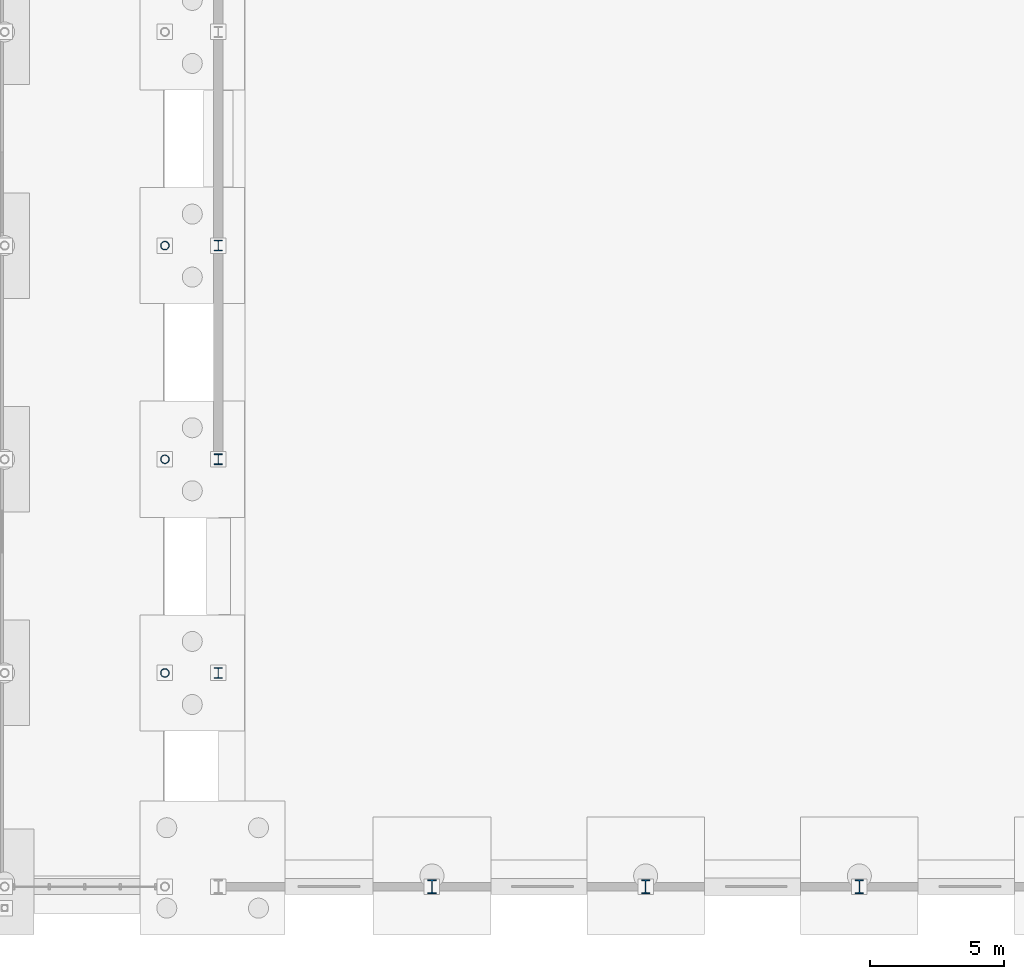
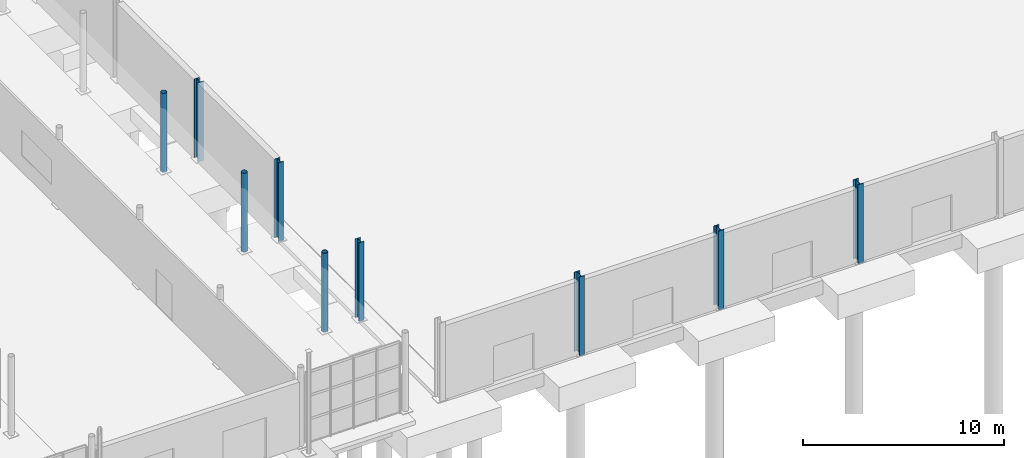
# One storey, part 13 of 101: 9 columns.
"""IFC4 building model written with IfcOpenShell, lengths in metres."""

import ifcopenshell
import ifcopenshell.guid

model = None  # the IFC model being written
_history = None  # IfcOwnerHistory: only IFC2X3 demands one
_inside = {}  # id of a spatial element -> (the spatial element, [elements in it])
_under = {}  # id of a project, library or spatial element -> (it, [spatial elements below it])
_declared = {}  # id of a project -> (the project, [libraries it declares])
_typed = {}  # id of a type object -> (the type object, [elements of that type])
_made_of = {}  # id of a material, layer set ... -> (it, [elements and type objects made of it])


def new_model(schema):
    """Start an empty IFC model of exactly this schema.

    Asked for "IFC4X3", IfcOpenShell would pick the latest addendum, in which some entities
    have other attributes; the version numbers below select the first issue.
    IFC2X3 requires an IfcOwnerHistory on every rooted entity: one is made here for all.
    """
    global model, _history
    if schema == "IFC4X3":
        model = ifcopenshell.file(schema_version=(4, 3, 0, 0))
    else:
        model = ifcopenshell.file(schema=schema)
    _inside.clear()
    _under.clear()
    _declared.clear()
    _typed.clear()
    _made_of.clear()
    _history = None
    if model.schema == "IFC2X3":
        org = make("IfcOrganization", Name="unknown")
        user = make(
            "IfcPersonAndOrganization",
            ThePerson=make("IfcPerson", FamilyName="unknown"),
            TheOrganization=org,
        )
        app = make(
            "IfcApplication",
            ApplicationDeveloper=org,
            Version="unknown",
            ApplicationFullName="unknown",
            ApplicationIdentifier="unknown",
        )
        _history = make(
            "IfcOwnerHistory",
            OwningUser=user,
            OwningApplication=app,
            ChangeAction="ADDED",
            CreationDate=0,
        )
    return model


def make(cls, **values):
    """One entity of the class cls with the attributes given. An attribute that is None is left unset."""
    return model.create_entity(
        cls, **{name: value for name, value in values.items() if value is not None}
    )


def rooted(cls, **values):
    """An entity with a GlobalId (a new one), such as an element, a storey or a relation."""
    return make(cls, GlobalId=ifcopenshell.guid.new(), OwnerHistory=_history, **values)


def si_unit(unit_type, name, prefix=None):
    """IfcSIUnit, for example si_unit("LENGTHUNIT", "METRE", prefix="MILLI")."""
    return make("IfcSIUnit", UnitType=unit_type, Prefix=prefix, Name=name)


def derived_unit(unit_type, elements):
    """IfcDerivedUnit: a product of units, each with its exponent."""
    return make(
        "IfcDerivedUnit",
        Elements=[
            make("IfcDerivedUnitElement", Unit=unit, Exponent=power)
            for unit, power in elements
        ],
        UnitType=unit_type,
    )


def assignment(units):
    """IfcUnitAssignment: the units of a project."""
    return None if units is None else make("IfcUnitAssignment", Units=units)


def point(xyz):
    """IfcCartesianPoint."""
    return None if xyz is None else make("IfcCartesianPoint", Coordinates=xyz)


def direction(xyz):
    """IfcDirection."""
    return None if xyz is None else make("IfcDirection", DirectionRatios=xyz)


def frame(location, z_axis=None, x_axis=None):
    """IfcAxis2Placement3D, a coordinate frame: its origin and axes. An axis left out is left unset."""
    return make(
        "IfcAxis2Placement3D",
        Location=point(location),
        Axis=direction(z_axis),
        RefDirection=direction(x_axis),
    )


def frame_2d(location, x_axis=None):
    """IfcAxis2Placement2D, a coordinate frame in the plane: its origin and x axis."""
    return make(
        "IfcAxis2Placement2D", Location=point(location), RefDirection=direction(x_axis)
    )


def origin():
    """The frame at (0, 0, 0) with its axes left unset."""
    return frame((0.0, 0.0, 0.0))


def origin_2d():
    """The frame at (0, 0) in the plane with its x axis left unset."""
    return frame_2d((0.0, 0.0))


def place(relative_to, where):
    """IfcLocalPlacement: puts the frame where relative to a parent placement (None: the world)."""
    return make(
        "IfcLocalPlacement", PlacementRelTo=relative_to, RelativePlacement=where
    )


def context(
    kind, dimensions, precision=None, world=None, true_north=None, identifier=None
):
    """IfcGeometricRepresentationContext, for example the 3D "Model" context."""
    return make(
        "IfcGeometricRepresentationContext",
        ContextIdentifier=identifier,
        ContextType=kind,
        CoordinateSpaceDimension=dimensions,
        Precision=precision,
        WorldCoordinateSystem=world,
        TrueNorth=true_north,
    )


def subcontext(parent, identifier, kind, view, scale=None):
    """IfcGeometricRepresentationSubContext, for example "Body" below "Model"."""
    return make(
        "IfcGeometricRepresentationSubContext",
        ContextIdentifier=identifier,
        ContextType=kind,
        ParentContext=parent,
        TargetScale=scale,
        TargetView=view,
    )


def project(units=None, contexts=None):
    """IfcProject with its units and contexts."""
    return rooted(
        "IfcProject",
        Name="project",
        RepresentationContexts=contexts,
        UnitsInContext=assignment(units),
    )


def spatial(cls, under=None, at=None, **own):
    """A site, building, storey or space (cls), placed at a placement, below another one or the project."""
    s = rooted(cls, ObjectPlacement=at, **own)
    if under is not None:
        _under.setdefault(under.id(), (under, []))[1].append(s)
    return s


def profile(cls, at=None, kind="AREA", **sizes):
    """A parametric profile (cls). Its sizes go by their IFC names, for example OverallWidth=200.0."""
    return make(cls, ProfileType=kind, Position=at, **sizes)


def hollow_circle(**sizes):
    """IfcCircleHollowProfileDef."""
    return profile("IfcCircleHollowProfileDef", **sizes)


def i_section(**sizes):
    """IfcIShapeProfileDef."""
    return profile("IfcIShapeProfileDef", **sizes)


def extrude(swept, where, along, depth):
    """IfcExtrudedAreaSolid: the profile swept, set in the frame where, extruded along a direction by depth."""
    return make(
        "IfcExtrudedAreaSolid",
        SweptArea=swept,
        Position=where,
        ExtrudedDirection=direction(along),
        Depth=depth,
    )


def shape(context_of_items, identifier, shape_type, items):
    """IfcShapeRepresentation: the items that make up one representation, for example the "Body"."""
    return make(
        "IfcShapeRepresentation",
        ContextOfItems=context_of_items,
        RepresentationIdentifier=identifier,
        RepresentationType=shape_type,
        Items=items,
    )


def material(Name=None, Category=None):
    """IfcMaterial."""
    return make("IfcMaterial", Name=Name, Category=Category)


def material_profile(
    of_material, cross_section, Name=None, Category=None, Priority=None
):
    """IfcMaterialProfile: a cross section and its material."""
    return make(
        "IfcMaterialProfile",
        Name=Name,
        Material=of_material,
        Profile=cross_section,
        Priority=Priority,
        Category=Category,
    )


def profile_set(profiles, Name=None, composite=None):
    """IfcMaterialProfileSet."""
    return make(
        "IfcMaterialProfileSet",
        Name=Name,
        MaterialProfiles=profiles,
        CompositeProfile=composite,
    )


def made_of(thing, what):
    """Note that an element or type object is made of a material, layer set ...; save() writes the relation."""
    if what is not None:
        _made_of.setdefault(what.id(), (what, []))[1].append(thing)
    return thing


def type_object(cls, material=None, **own):
    """A type object (cls), such as IfcWallType, which elements share."""
    return made_of(rooted(cls, **own), material)


def element(
    cls,
    number,
    at=None,
    inside=None,
    cuts=None,
    type_object=None,
    material=None,
    context=None,
    identifier="Body",
    shape_type=None,
    held_by="IfcProductDefinitionShape",
    body=None,
    shapes=None,
    **own,
):
    """One element of the class cls, such as IfcWall. Its Tag is "e" and its number.

    at: its placement. inside: the storey or other place that contains it. cuts: it is an
    opening in that element (IfcRelVoidsElement). A single representation is given by context,
    identifier, shape_type and body (its items); several are given by shapes. held_by: the class
    of the entity that holds the representations. save() writes the other relations.
    """
    e = rooted(cls, Tag="e%d" % number, ObjectPlacement=at, **own)
    if body is not None:
        shapes = [shape(context, identifier, shape_type, body)]
    if shapes is not None:
        e.Representation = make(held_by, Representations=shapes)
    if inside is not None:
        _inside.setdefault(inside.id(), (inside, []))[1].append(e)
    if cuts is not None:
        rooted(
            "IfcRelVoidsElement", RelatingBuildingElement=cuts, RelatedOpeningElement=e
        )
    if type_object is not None:
        _typed.setdefault(type_object.id(), (type_object, []))[1].append(e)
    return made_of(e, material)


def aggregate(whole, parts):
    """IfcRelAggregates: a whole, such as a stair, and the parts it consists of."""
    return rooted("IfcRelAggregates", RelatingObject=whole, RelatedObjects=parts)


def save(model, path):
    """Write the relations noted so far, then the file.

    IfcRelAggregates (storeys below a building ...), IfcRelContainedInSpatialStructure (elements
    in a storey), IfcRelDefinesByType, IfcRelAssociatesMaterial and IfcRelDeclares: one each for
    every whole, place, type object, material and project.
    """
    for whole, parts in _under.values():
        aggregate(whole, parts)
    for where, things in _inside.values():
        rooted(
            "IfcRelContainedInSpatialStructure",
            RelatedElements=things,
            RelatingStructure=where,
        )
    for kind, things in _typed.values():
        rooted("IfcRelDefinesByType", RelatedObjects=things, RelatingType=kind)
    for what, things in _made_of.values():
        rooted("IfcRelAssociatesMaterial", RelatedObjects=things, RelatingMaterial=what)
    for by, libraries in _declared.values():
        rooted("IfcRelDeclares", RelatingContext=by, RelatedDefinitions=libraries)
    model.write(path)


model = new_model("IFC4")

# Units and contexts
model_context = context("Model", 3, precision=1e-05, world=origin(), true_north=direction((0.0, 1.0)))
body_context = subcontext(model_context, "Body", "Model", "MODEL_VIEW")
ifc_project = project(units=[si_unit("LENGTHUNIT", "METRE"), si_unit("AREAUNIT", "SQUARE_METRE"), si_unit("VOLUMEUNIT", "CUBIC_METRE"), si_unit("PLANEANGLEUNIT", "RADIAN"), si_unit("MASSUNIT", "GRAM", prefix="KILO"), derived_unit("THERMALTRANSMITTANCEUNIT", [(si_unit("POWERUNIT", "WATT"), 1), (si_unit("LENGTHUNIT", "METRE"), -2), (si_unit("THERMODYNAMICTEMPERATUREUNIT", "KELVIN"), -1)])], contexts=[model_context])

# Site, building, storey
site_placement = place(None, origin())
site = spatial("IfcSite", under=ifc_project, at=site_placement, CompositionType="ELEMENT")
building_placement = place(site_placement, origin())
building = spatial("IfcBuilding", under=site, at=building_placement, Name="Keldorne Ridge Multi-Sports Centre", CompositionType="ELEMENT")
storey_placement = place(building_placement, origin())
storey = spatial("IfcBuildingStorey", under=building, at=storey_placement, Name="L00", CompositionType="ELEMENT", Elevation=0.0)

# Columns
ifc_material = material(Name="Steel S355", Category="steel")
ifc_material_profile_1 = material_profile(ifc_material, i_section(OverallWidth=0.305908203125, OverallDepth=0.52392578125, WebThickness=0.02099609375, FlangeThickness=0.0400390625, FilletRadius=0.027099609375, at=origin_2d()), Name="HEM 500")
ifc_profile_set_1 = profile_set([ifc_material_profile_1], Name="Steel S355")
column_type_1 = type_object("IfcColumnType", Name="COL-C-04", PredefinedType="COLUMN", material=ifc_profile_set_1)
for number, where, z_axis, x_axis, name in (
    (1, (112.0, 6.0, 0.0), (0.0, 0.0, 1.0), (1.0, 0.0, 0.0), "Structural column V2-TRUSS-S-02 on L00"),
    (2, (120.0, 6.0, 0.0), (0.0, 0.0, 1.0), (1.0, 0.0, 0.0), "Structural column V2-TRUSS-S-03 on L00"),
    (3, (128.0, 6.0, 0.0), (0.0, 0.0, 1.0), (1.0, 0.0, 0.0), "Structural column V2-TRUSS-S-04 on L00"),
):
    element("IfcColumn", number, at=place(storey_placement, frame(where, z_axis=z_axis, x_axis=x_axis)), inside=storey, type_object=column_type_1, Name=name, PredefinedType="COLUMN", context=body_context, shape_type="SweptSolid", body=[
        extrude(i_section(OverallWidth=0.305908203125, OverallDepth=0.52392578125, WebThickness=0.02099609375, FlangeThickness=0.0400390625, FilletRadius=0.027099609375, at=origin_2d()), origin(), (0.0, 0.0, 1.0), 4.800048828125),
    ])
ifc_material_profile_2 = material_profile(ifc_material, hollow_circle(Radius=0.161865234375, WallThickness=0.01611328125, at=origin_2d()), Name="CHS 323.9x16")
ifc_profile_set_2 = profile_set([ifc_material_profile_2], Name="Steel S355")
column_type_2 = type_object("IfcColumnType", Name="COL-C-08", PredefinedType="COLUMN", material=ifc_profile_set_2)
for number, where, z_axis, x_axis, name in (
    (4, (102.0, 14.0, 0.0), (0.0, 0.0, 1.0), (1.0, 0.0, 0.0), "Structural column V4-G15-02 on L00"),
    (5, (102.0, 22.0, 0.0), (0.0, 0.0, 1.0), (1.0, 0.0, 0.0), "Structural column V4-G15-03 on L00"),
    (6, (102.0, 30.0, 0.0), (0.0, 0.0, 1.0), (1.0, 0.0, 0.0), "Structural column V4-G15-04 on L00"),
):
    element("IfcColumn", number, at=place(storey_placement, frame(where, z_axis=z_axis, x_axis=x_axis)), inside=storey, type_object=column_type_2, Name=name, PredefinedType="COLUMN", context=body_context, shape_type="SweptSolid", body=[
        extrude(hollow_circle(Radius=0.161865234375, WallThickness=0.01611328125, at=origin_2d()), origin(), (0.0, 0.0, 1.0), 4.800048828125),
    ])
ifc_material_profile_3 = material_profile(ifc_material, i_section(OverallWidth=0.300048828125, OverallDepth=0.39990234375, WebThickness=0.013427734375, FlangeThickness=0.02392578125, FilletRadius=0.027099609375, at=origin_2d()), Name="HEB 400")
ifc_profile_set_3 = profile_set([ifc_material_profile_3], Name="Steel S355")
column_type_3 = type_object("IfcColumnType", Name="COL-C-09", PredefinedType="COLUMN", material=ifc_profile_set_3)
for number, where, z_axis, x_axis, name in (
    (7, (104.0, 14.0, 0.0), (0.0, 0.0, 1.0), (1.0, 0.0, 0.0), "Structural column V2-GABLE-W-01 on L00"),
    (8, (104.0, 22.0, 0.0), (0.0, 0.0, 1.0), (1.0, 0.0, 0.0), "Structural column V2-GABLE-W-02 on L00"),
    (9, (104.0, 30.0, 0.0), (0.0, 0.0, 1.0), (1.0, 0.0, 0.0), "Structural column V2-GABLE-W-03 on L00"),
):
    element("IfcColumn", number, at=place(storey_placement, frame(where, z_axis=z_axis, x_axis=x_axis)), inside=storey, type_object=column_type_3, Name=name, PredefinedType="COLUMN", context=body_context, shape_type="SweptSolid", body=[
        extrude(i_section(OverallWidth=0.300048828125, OverallDepth=0.39990234375, WebThickness=0.013427734375, FlangeThickness=0.02392578125, FilletRadius=0.027099609375, at=origin_2d()), origin(), (0.0, 0.0, 1.0), 4.800048828125),
    ])

save(model, "model.ifc")
